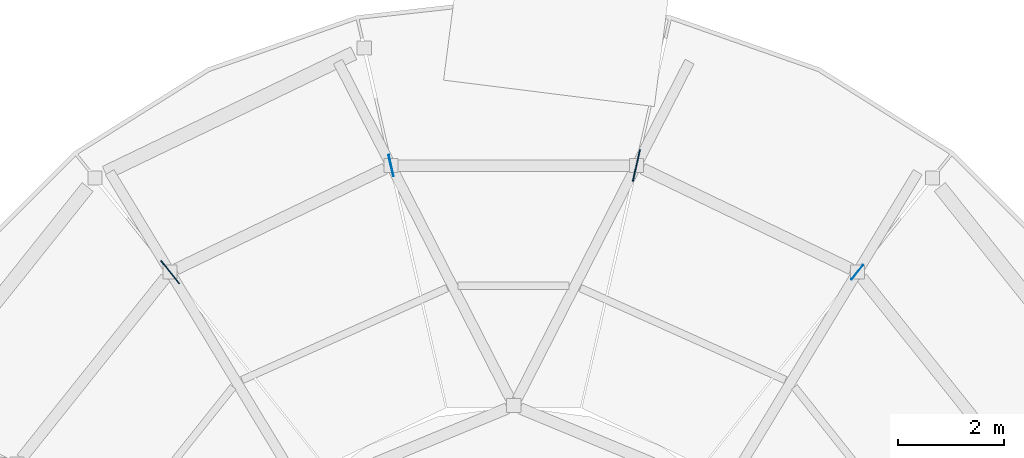
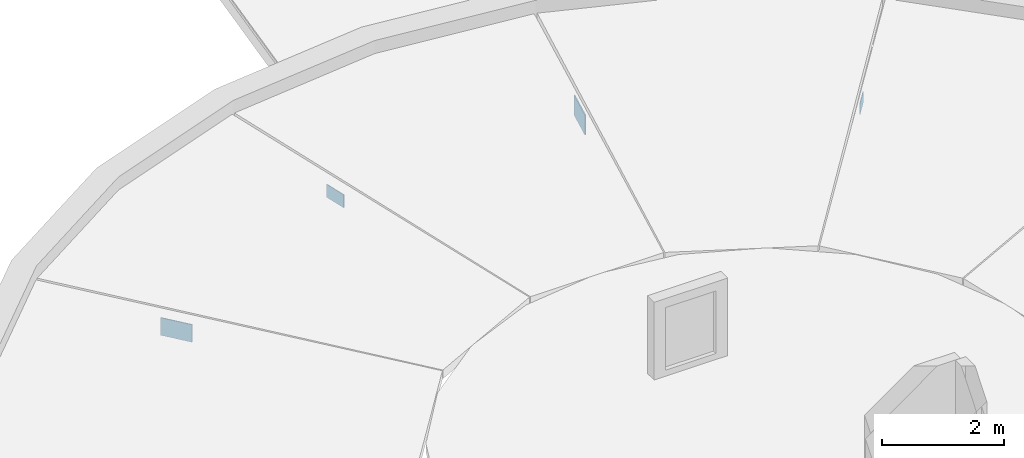
# One storey, part 31 of 58: 4 plates.
"""IFC4 building model written with IfcOpenShell, lengths in metres."""

from ifc_helpers import new_model, si_unit, direction, frame, origin, origin_2d, place, context, subcontext, project, spatial, rectangle, extrude, material, layer, layer_set, type_object, element, save


model = new_model("IFC4")

# Units and contexts
model_context = context("Model", 3, precision=1e-05, world=origin(), true_north=direction((0.0, 1.0)))
body_context = subcontext(model_context, "Body", "Model", "MODEL_VIEW")
ifc_project = project(units=[si_unit("LENGTHUNIT", "METRE"), si_unit("AREAUNIT", "SQUARE_METRE"), si_unit("VOLUMEUNIT", "CUBIC_METRE"), si_unit("PLANEANGLEUNIT", "RADIAN"), si_unit("MASSUNIT", "GRAM", prefix="KILO")], contexts=[model_context])

# Site, building, storey
site_placement = place(None, origin())
site = spatial("IfcSite", under=ifc_project, at=site_placement, CompositionType="ELEMENT")
building_placement = place(site_placement, origin())
building = spatial("IfcBuilding", under=site, at=building_placement, Name="Aldenvaro Health Centre", CompositionType="ELEMENT")
storey_placement = place(building_placement, frame((0.0, 0.0, 8.75)))
storey = spatial("IfcBuildingStorey", under=building, at=storey_placement, Name="L02", CompositionType="ELEMENT", Elevation=8.75)

# Plates
ifc_material = material(Name="Steel ASTM A572 Grade 50", Category="steel")
ifc_layer_1 = layer(ifc_material, 0.013916015625, Name="Steel ASTM A572 Grade 50", Category="steel")
ifc_layer_set_1 = layer_set([ifc_layer_1], Name="Steel ASTM A572 Grade 50")
plate_type_1 = type_object("IfcPlateType", Name="PLT-GUS-07", PredefinedType="SHEET", material=ifc_layer_set_1)
plate_1_placement = place(storey_placement, frame((21.18994140625, 67.6201171875, 0.28076171875), z_axis=(0.0, 0.0, 1.0), x_axis=(-0.22253705317, 0.974924232936, 0.0)))
element("IfcPlate", 1, at=plate_1_placement, inside=storey, type_object=plate_type_1, Name="D3 Rafter Eave Gusset 05", PredefinedType="SHEET", context=body_context, shape_type="SweptSolid", body=[
    extrude(rectangle(XDim=0.409912109375, YDim=0.013916015625, at=origin_2d()), origin(), (0.0, 0.0, 1.0), 0.260009765625),
])
ifc_layer_2 = layer(ifc_material, 0.01904296875, Name="Steel ASTM A572 Grade 50", Category="steel")
ifc_layer_set_2 = layer_set([ifc_layer_2], Name="Steel ASTM A572 Grade 50")
plate_type_2 = type_object("IfcPlateType", Name="PLT-GUS-08", PredefinedType="SHEET", material=ifc_layer_set_2)
plate_2_placement = place(storey_placement, frame((17.028076171875, 65.614990234375, 0.23583984375), z_axis=(0.0, 0.0, 1.0), x_axis=(-0.623519449274, 0.781807838524, 0.0)))
element("IfcPlate", 2, at=plate_2_placement, inside=storey, type_object=plate_type_2, Name="D3 Rafter Eave Gusset 06", PredefinedType="SHEET", context=body_context, shape_type="SweptSolid", body=[
    extrude(rectangle(XDim=0.550048828125, YDim=0.01904296875, at=origin_2d()), origin(), (0.0, 0.0, 1.0), 0.35009765625),
])
ifc_layer_3 = layer(ifc_material, 0.011962890625, Name="Steel ASTM A572 Grade 50", Category="steel")
ifc_layer_set_3 = layer_set([ifc_layer_3], Name="Steel ASTM A572 Grade 50")
plate_type_3 = type_object("IfcPlateType", Name="PLT-GUS-09", PredefinedType="SHEET", material=ifc_layer_set_3)
plate_3_placement = place(storey_placement, frame((29.971923828125, 65.614990234375, 0.30078125), z_axis=(0.0, 0.0, 1.0), x_axis=(0.623519449274, 0.781807838524, 0.0)))
element("IfcPlate", 3, at=plate_3_placement, inside=storey, type_object=plate_type_3, Name="D3 Rafter Eave Gusset 03", PredefinedType="SHEET", context=body_context, shape_type="SweptSolid", body=[
    extrude(rectangle(XDim=0.35009765625, YDim=0.011962890625, at=origin_2d()), origin(), (0.0, 0.0, 1.0), 0.219970703125),
])
ifc_layer_4 = layer(ifc_material, 0.02099609375, Name="Steel ASTM A572 Grade 50", Category="steel")
ifc_layer_set_4 = layer_set([ifc_layer_4], Name="Steel ASTM A572 Grade 50")
plate_type_4 = type_object("IfcPlateType", Name="PLT-GUS-10", PredefinedType="SHEET", material=ifc_layer_set_4)
plate_4_placement = place(storey_placement, frame((25.81005859375, 67.6201171875, 0.2109375), z_axis=(0.0, 0.0, 1.0), x_axis=(0.22253705317, 0.974924232936, 0.0)))
element("IfcPlate", 4, at=plate_4_placement, inside=storey, type_object=plate_type_4, Name="D3 Rafter Eave Gusset 04", PredefinedType="SHEET", context=body_context, shape_type="SweptSolid", body=[
    extrude(rectangle(XDim=0.610107421875, YDim=0.02099609375, at=origin_2d()), origin(), (0.0, 0.0, 1.0), 0.39990234375),
])

save(model, "model.ifc")
